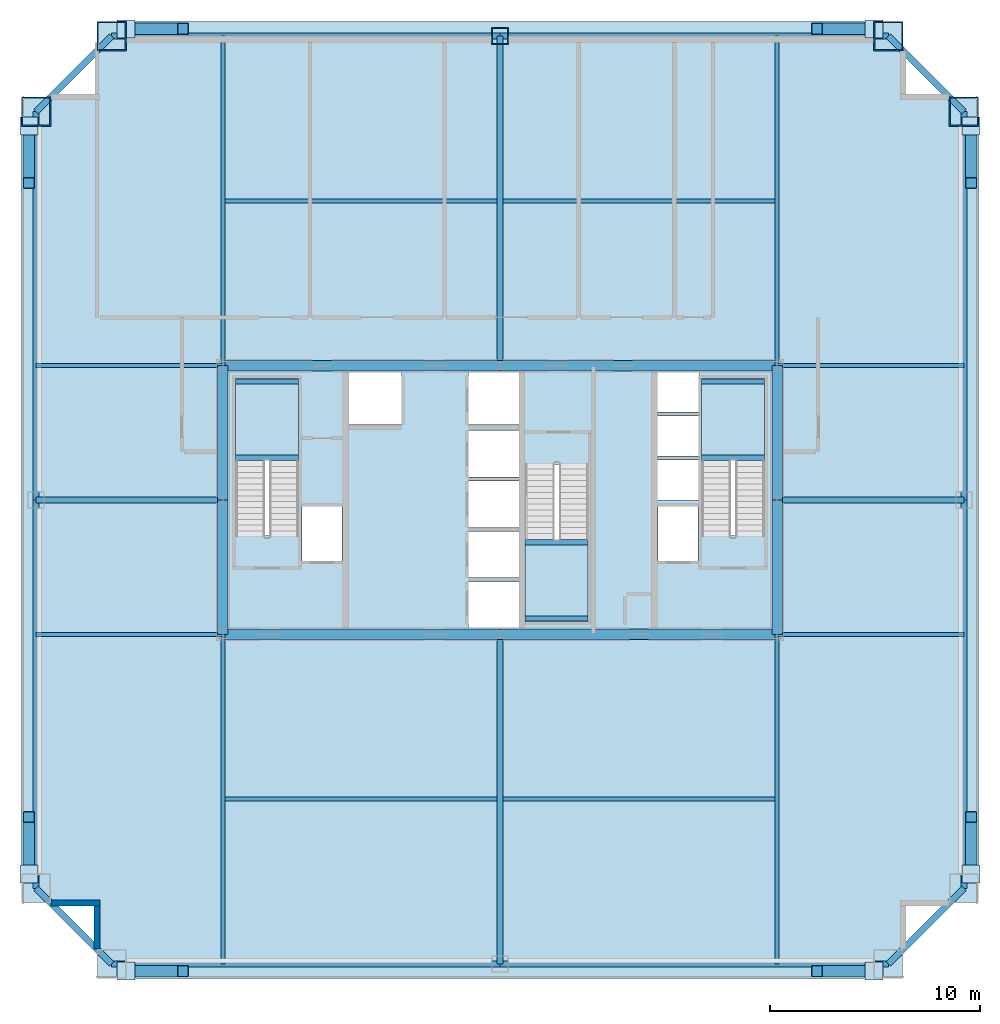
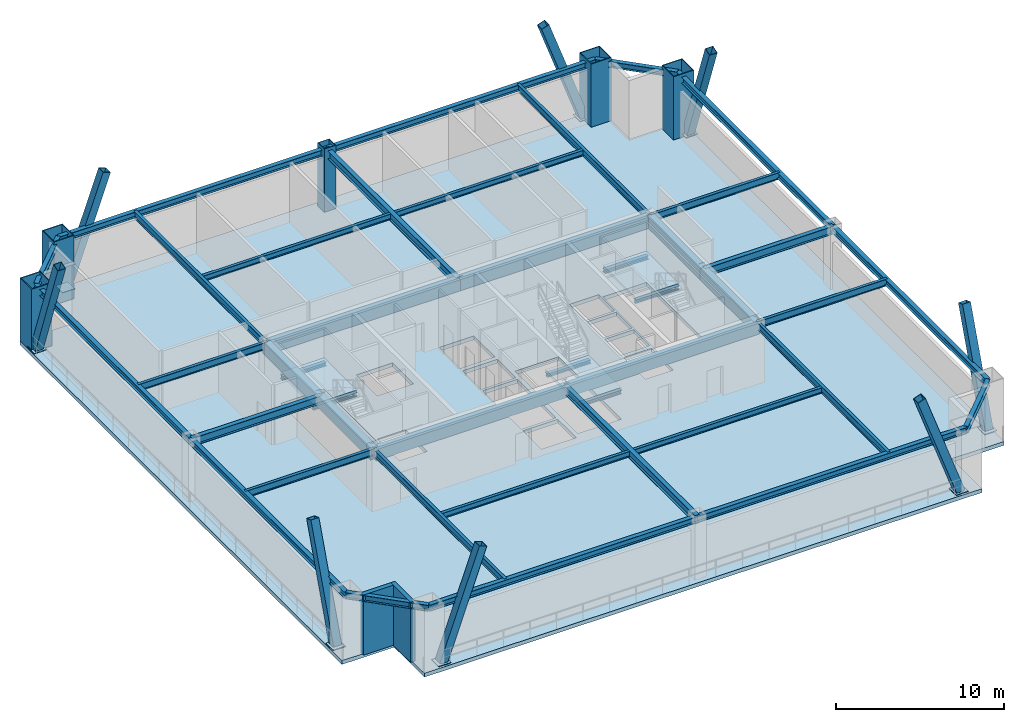
# One storey, part 3 of 9: 42 beams, 8 members, 8 plates, 5 columns, 4 slabs, 2 walls, 3 elements without a shape of their own.
"""IFC4 building model written with IfcOpenShell, lengths in metres."""

from ifc_helpers import new_model, si_unit, direction, frame, frame_2d, origin, origin_2d, place, context, subcontext, project, spatial, polyline, rectangle, hollow_rectangle, i_section, outline, extrude, source, transform, mapped, material, layer, layer_set, material_profile, profile_set, type_object, element, aggregate, save


model = new_model("IFC4")

# Units and contexts
model_context = context("Model", 3, precision=1e-05, world=origin(), true_north=direction((0.0, 1.0)))
body_context = subcontext(model_context, "Body", "Model", "MODEL_VIEW")
ifc_project = project(units=[si_unit("LENGTHUNIT", "METRE"), si_unit("AREAUNIT", "SQUARE_METRE"), si_unit("VOLUMEUNIT", "CUBIC_METRE"), si_unit("PLANEANGLEUNIT", "RADIAN"), si_unit("MASSUNIT", "GRAM", prefix="KILO"), si_unit("THERMODYNAMICTEMPERATUREUNIT", "KELVIN"), si_unit("POWERUNIT", "WATT")], contexts=[model_context])

# Site, building, storey
site_placement = place(None, origin())
site = spatial("IfcSite", under=ifc_project, at=site_placement, CompositionType="ELEMENT")
building_placement = place(site_placement, origin())
building = spatial("IfcBuilding", under=site, at=building_placement, Name="Yuzanri Waterfront Tower", CompositionType="ELEMENT")
storey_placement = place(building_placement, frame((0.0, 0.0, 176.39990234375)))
storey = spatial("IfcBuildingStorey", under=building, at=storey_placement, Name="L46", CompositionType="ELEMENT", Elevation=176.39990234375)

# Columns
ifc_material_1 = material(Name="Steel Q420GJC", Category="steel")
ifc_material_profile_1 = material_profile(ifc_material_1, hollow_rectangle(XDim=1.39990234375, YDim=1.39990234375, WallThickness=0.06005859375, at=origin_2d()), Name="RHS 1400x1400x60")
ifc_profile_set_1 = profile_set([ifc_material_profile_1], Name="Steel Q420GJC")
column_type_1 = type_object("IfcColumnType", Name="Mega Column Q420GJC RHS 1400x1400x60", PredefinedType="COLUMN", material=ifc_profile_set_1)
shared_shape_1 = source(origin(), body_context, "Body", "SweptSolid", [
    extrude(hollow_rectangle(XDim=1.39990234375, YDim=1.39990234375, WallThickness=0.06005859375, at=origin_2d()), origin(), (0.0, 0.0, 1.0), 4.60009765625),
])
for number, where, z_axis, x_axis, name in (
    (1, (18.5, 47.89990234375, 0.0), (0.0, 0.0, 1.0), (1.0, 0.0, 0.0), "L46 Perimeter Mega Column N1"),
    (2, (55.5, 47.89990234375, 0.0), (0.0, 0.0, 1.0), (1.0, 0.0, 0.0), "L46 Perimeter Mega Column N3"),
    (3, (14.89990234375, 44.300048828125, 0.0), (0.0, 0.0, 1.0), (1.0, 0.0, 0.0), "L46 Perimeter Mega Column W3"),
    (4, (59.10009765625, 44.300048828125, 0.0), (0.0, 0.0, 1.0), (1.0, 0.0, 0.0), "L46 Perimeter Mega Column E3"),
):
    element("IfcColumn", number, at=place(storey_placement, frame(where, z_axis=z_axis, x_axis=x_axis)), inside=storey, type_object=column_type_1, Name=name, PredefinedType="COLUMN", context=body_context, shape_type="MappedRepresentation", body=[
        mapped(shared_shape_1, transform((0.0, 0.0, 0.0), scale=1.0)),
    ])
ifc_material_2 = material(Name="Steel Q390GJC", Category="steel")
ifc_material_profile_2 = material_profile(ifc_material_2, hollow_rectangle(XDim=0.800048828125, YDim=0.800048828125, WallThickness=0.035888671875, at=origin_2d()), Name="RHS 800x800x36")
ifc_profile_set_2 = profile_set([ifc_material_profile_2], Name="Steel Q390GJC")
column_type_2 = type_object("IfcColumnType", Name="Frame Column Q390GJC RHS 800x800x36", PredefinedType="COLUMN", material=ifc_profile_set_2)
shared_shape_2 = source(origin(), body_context, "Body", "SweptSolid", [
    extrude(hollow_rectangle(XDim=0.800048828125, YDim=0.800048828125, WallThickness=0.035888671875, at=origin_2d()), origin(), (0.0, 0.0, 1.0), 4.60009765625),
])
column_placement = place(storey_placement, frame((37.0, 47.89990234375, 0.0), z_axis=(0.0, 0.0, 1.0), x_axis=(1.0, 0.0, 0.0)))
element("IfcColumn", 5, at=column_placement, inside=storey, type_object=column_type_2, Name="L46 Perimeter Frame Column N2", PredefinedType="COLUMN", context=body_context, shape_type="MappedRepresentation", body=[
    mapped(shared_shape_2, transform((0.0, 0.0, 0.0), scale=1.0)),
])

# Beams
ifc_material_3 = material(Name="Steel Q355B", Category="steel")
ifc_material_profile_3 = material_profile(ifc_material_3, i_section(OverallWidth=0.199951171875, OverallDepth=0.39990234375, WebThickness=0.008056640625, FlangeThickness=0.012939453125, at=origin_2d()), Name="HN 400x200x8x13")
ifc_profile_set_3 = profile_set([ifc_material_profile_3], Name="Steel Q355B")
beam_type_1 = type_object("IfcBeamType", Name="Floor Joist Q355B HN 400x200", PredefinedType="JOIST", material=ifc_profile_set_3)
shared_shape_3 = source(origin(), body_context, "Body", "SweptSolid", [
    extrude(i_section(OverallWidth=0.199951171875, OverallDepth=0.39990234375, WebThickness=0.008056640625, FlangeThickness=0.012939453125, at=origin_2d()), origin(), (0.0, 0.0, 1.0), 12.9501953125),
])
for number, where, z_axis, x_axis, name in (
    (6, (23.89990234375, 11.550048828125, 4.18017578125), (1.0, 0.0, 0.0), (0.0, 1.0, 0.0), "L46 South Bay Joist W"),
    (7, (37.14990234375, 11.550048828125, 4.18017578125), (1.0, 0.0, 0.0), (0.0, 1.0, 0.0), "L46 South Bay Joist E"),
    (8, (23.89990234375, 40.050048828125, 4.18017578125), (1.0, 0.0, 0.0), (0.0, 1.0, 0.0), "L46 North Bay Joist W"),
    (9, (37.14990234375, 40.050048828125, 4.18017578125), (1.0, 0.0, 0.0), (0.0, 1.0, 0.0), "L46 North Bay Joist E"),
):
    element("IfcBeam", number, at=place(storey_placement, frame(where, z_axis=z_axis, x_axis=x_axis)), inside=storey, type_object=beam_type_1, Name=name, PredefinedType="JOIST", context=body_context, shape_type="MappedRepresentation", body=[
        mapped(shared_shape_3, transform((0.0, 0.0, 0.0), scale=1.0)),
    ])
ifc_material_4 = material(Name="Steel Q355B", Category="steel")
ifc_material_profile_4 = material_profile(ifc_material_4, i_section(OverallWidth=0.300048828125, OverallDepth=0.43994140625, WebThickness=0.010986328125, FlangeThickness=0.01806640625, at=origin_2d()), Name="HM 440x300x11x18")
ifc_profile_set_4 = profile_set([ifc_material_profile_4], Name="Steel Q355B")
beam_type_2 = type_object("IfcBeamType", Name="Perimeter Spandrel Q355B HM 440x300", PredefinedType="SPANDREL", material=ifc_profile_set_4)
shared_shape_4 = source(origin(), body_context, "Body", "SweptSolid", [
    extrude(i_section(OverallWidth=0.300048828125, OverallDepth=0.43994140625, WebThickness=0.010986328125, FlangeThickness=0.01806640625, at=origin_2d()), origin(), (0.0, 0.0, 1.0), 18.5),
])
for number, where, z_axis, x_axis, name in (
    (10, (18.5, 3.699951171875, 4.16015625), (1.0, 0.0, 0.0), (0.0, 1.0, 0.0), "L46 Perimeter Spandrel S1-S2"),
    (11, (37.0, 3.699951171875, 4.16015625), (1.0, 0.0, 0.0), (0.0, 1.0, 0.0), "L46 Perimeter Spandrel S2-S3"),
    (12, (59.10009765625, 7.300048828125, 4.16015625), (0.0, 1.0, 0.0), (-1.0, 0.0, 0.0), "L46 Perimeter Spandrel E1-E2"),
    (13, (59.10009765625, 25.800048828125, 4.16015625), (0.0, 1.0, 0.0), (-1.0, 0.0, 0.0), "L46 Perimeter Spandrel E2-E3"),
    (14, (55.5, 47.89990234375, 4.16015625), (-1.0, 0.0, 0.0), (0.0, -1.0, 0.0), "L46 Perimeter Spandrel N3-N2"),
    (15, (37.0, 47.89990234375, 4.16015625), (-1.0, 0.0, 0.0), (0.0, -1.0, 0.0), "L46 Perimeter Spandrel N2-N1"),
    (16, (14.89990234375, 44.300048828125, 4.16015625), (0.0, -1.0, 0.0), (1.0, 0.0, 0.0), "L46 Perimeter Spandrel W3-W2"),
    (17, (14.89990234375, 25.800048828125, 4.16015625), (0.0, -1.0, 0.0), (1.0, 0.0, 0.0), "L46 Perimeter Spandrel W2-W1"),
):
    element("IfcBeam", number, at=place(storey_placement, frame(where, z_axis=z_axis, x_axis=x_axis)), inside=storey, type_object=beam_type_2, Name=name, PredefinedType="SPANDREL", context=body_context, shape_type="MappedRepresentation", body=[
        mapped(shared_shape_4, transform((0.0, 0.0, 0.0), scale=1.0)),
    ])
shared_shape_5 = source(origin(), body_context, "Body", "SweptSolid", [
    extrude(i_section(OverallWidth=0.300048828125, OverallDepth=0.43994140625, WebThickness=0.010986328125, FlangeThickness=0.01806640625, at=origin_2d()), origin(), (0.0, 0.0, 1.0), 5.09130859375),
])
for number, where, z_axis, x_axis, name in (
    (18, (55.5, 3.699951171875, 4.16015625), (0.707106781187, 0.707106781187, 0.0), (-0.707106781187, 0.707106781187, 0.0), "L46 Perimeter Spandrel S3-E1"),
    (19, (14.89990234375, 7.300048828125, 4.16015625), (0.707106781187, -0.707106781187, 0.0), (0.707106781187, 0.707106781187, 0.0), "L46 Perimeter Spandrel W1-S1"),
):
    element("IfcBeam", number, at=place(storey_placement, frame(where, z_axis=z_axis, x_axis=x_axis)), inside=storey, type_object=beam_type_2, Name=name, PredefinedType="SPANDREL", context=body_context, shape_type="MappedRepresentation", body=[
        mapped(shared_shape_5, transform((0.0, 0.0, 0.0), scale=1.0)),
    ])
shared_shape_6 = source(origin(), body_context, "Body", "SweptSolid", [
    extrude(i_section(OverallWidth=0.300048828125, OverallDepth=0.43994140625, WebThickness=0.010986328125, FlangeThickness=0.01806640625, at=origin_2d()), origin(), (0.0, 0.0, 1.0), 5.091064453125),
])
for number, where, z_axis, x_axis, name in (
    (20, (59.10009765625, 44.300048828125, 4.16015625), (-0.707130757816, 0.707082803744, 0.0), (-0.707082803744, -0.707130757816, 0.0), "L46 Perimeter Spandrel E3-N3"),
    (21, (18.5, 47.89990234375, 4.16015625), (-0.707130757816, -0.707082803744, 0.0), (0.707082803744, -0.707130757816, 0.0), "L46 Perimeter Spandrel N1-W3"),
):
    element("IfcBeam", number, at=place(storey_placement, frame(where, z_axis=z_axis, x_axis=x_axis)), inside=storey, type_object=beam_type_2, Name=name, PredefinedType="SPANDREL", context=body_context, shape_type="MappedRepresentation", body=[
        mapped(shared_shape_6, transform((0.0, 0.0, 0.0), scale=1.0)),
    ])
ifc_material_5 = material(Name="Steel Q355B", Category="steel")
ifc_material_profile_5 = material_profile(ifc_material_5, i_section(OverallWidth=0.300048828125, OverallDepth=0.587890625, WebThickness=0.011962890625, FlangeThickness=0.02001953125, at=origin_2d()), Name="HM 588x300x12x20")
ifc_profile_set_5 = profile_set([ifc_material_profile_5], Name="Steel Q355B")
beam_type_3 = type_object("IfcBeamType", Name="Primary Floor Girder Q355B HM 588x300", PredefinedType="BEAM", material=ifc_profile_set_5)
shared_shape_7 = source(origin(), body_context, "Body", "SweptSolid", [
    extrude(i_section(OverallWidth=0.300048828125, OverallDepth=0.587890625, WebThickness=0.011962890625, FlangeThickness=0.02001953125, at=origin_2d()), origin(), (0.0, 0.0, 1.0), 15.699951171875),
])
for number, where, z_axis, x_axis, name in (
    (22, (37.0, 19.39990234375, 4.086181640625), (0.0, -1.0, 0.0), (1.0, 0.0, 0.0), "L46 South Grid Girder"),
    (23, (37.0, 32.199951171875, 4.086181640625), (0.0, 1.0, 0.0), (-1.0, 0.0, 0.0), "L46 North Grid Girder"),
):
    element("IfcBeam", number, at=place(storey_placement, frame(where, z_axis=z_axis, x_axis=x_axis)), inside=storey, type_object=beam_type_3, Name=name, PredefinedType="BEAM", context=body_context, shape_type="MappedRepresentation", body=[
        mapped(shared_shape_7, transform((0.0, 0.0, 0.0), scale=1.0)),
    ])
shared_shape_8 = source(origin(), body_context, "Body", "SweptSolid", [
    extrude(i_section(OverallWidth=0.300048828125, OverallDepth=0.587890625, WebThickness=0.011962890625, FlangeThickness=0.02001953125, at=origin_2d()), origin(), (0.0, 0.0, 1.0), 8.900146484375),
])
for number, where, z_axis, x_axis, name in (
    (24, (23.800048828125, 25.800048828125, 4.086181640625), (-1.0, 0.0, 0.0), (0.0, -1.0, 0.0), "L46 West Grid Girder"),
    (25, (50.199951171875, 25.800048828125, 4.086181640625), (1.0, 0.0, 0.0), (0.0, 1.0, 0.0), "L46 East Grid Girder"),
):
    element("IfcBeam", number, at=place(storey_placement, frame(where, z_axis=z_axis, x_axis=x_axis)), inside=storey, type_object=beam_type_3, Name=name, PredefinedType="BEAM", context=body_context, shape_type="MappedRepresentation", body=[
        mapped(shared_shape_8, transform((0.0, 0.0, 0.0), scale=1.0)),
    ])
ifc_material_6 = material(Name="Steel Q355B", Category="steel")
ifc_material_profile_6 = material_profile(ifc_material_6, i_section(OverallWidth=0.199951171875, OverallDepth=0.5, WebThickness=0.010009765625, FlangeThickness=0.01611328125, at=origin_2d()), Name="HN 500x200x10x16")
ifc_profile_set_6 = profile_set([ifc_material_profile_6], Name="Steel Q355B")
beam_type_4 = type_object("IfcBeamType", Name="Secondary Floor Beam Q355B HN 500x200", PredefinedType="BEAM", material=ifc_profile_set_6)
shared_shape_9 = source(origin(), body_context, "Body", "SweptSolid", [
    extrude(i_section(OverallWidth=0.199951171875, OverallDepth=0.5, WebThickness=0.010009765625, FlangeThickness=0.01611328125, at=origin_2d()), origin(), (0.0, 0.0, 1.0), 15.699951171875),
])
for number, where, z_axis, x_axis, name in (
    (26, (23.800048828125, 19.39990234375, 4.130126953125), (0.0, -1.0, 0.0), (1.0, 0.0, 0.0), "L46 South-West Core Line Beam"),
    (27, (50.199951171875, 19.39990234375, 4.130126953125), (0.0, -1.0, 0.0), (1.0, 0.0, 0.0), "L46 South-East Core Line Beam"),
    (28, (23.800048828125, 32.199951171875, 4.130126953125), (0.0, 1.0, 0.0), (-1.0, 0.0, 0.0), "L46 North-West Core Line Beam"),
    (29, (50.199951171875, 32.199951171875, 4.130126953125), (0.0, 1.0, 0.0), (-1.0, 0.0, 0.0), "L46 North-East Core Line Beam"),
):
    element("IfcBeam", number, at=place(storey_placement, frame(where, z_axis=z_axis, x_axis=x_axis)), inside=storey, type_object=beam_type_4, Name=name, PredefinedType="BEAM", context=body_context, shape_type="MappedRepresentation", body=[
        mapped(shared_shape_9, transform((0.0, 0.0, 0.0), scale=1.0)),
    ])
shared_shape_10 = source(origin(), body_context, "Body", "SweptSolid", [
    extrude(i_section(OverallWidth=0.199951171875, OverallDepth=0.5, WebThickness=0.010009765625, FlangeThickness=0.01611328125, at=origin_2d()), origin(), (0.0, 0.0, 1.0), 8.900146484375),
])
for number, where, z_axis, x_axis, name in (
    (30, (23.800048828125, 19.39990234375, 4.130126953125), (-1.0, 0.0, 0.0), (0.0, -1.0, 0.0), "L46 West-South Core Line Beam"),
    (31, (23.800048828125, 32.199951171875, 4.130126953125), (-1.0, 0.0, 0.0), (0.0, -1.0, 0.0), "L46 West-North Core Line Beam"),
    (32, (50.199951171875, 19.39990234375, 4.130126953125), (1.0, 0.0, 0.0), (0.0, 1.0, 0.0), "L46 East-South Core Line Beam"),
    (33, (50.199951171875, 32.199951171875, 4.130126953125), (1.0, 0.0, 0.0), (0.0, 1.0, 0.0), "L46 East-North Core Line Beam"),
):
    element("IfcBeam", number, at=place(storey_placement, frame(where, z_axis=z_axis, x_axis=x_axis)), inside=storey, type_object=beam_type_4, Name=name, PredefinedType="BEAM", context=body_context, shape_type="MappedRepresentation", body=[
        mapped(shared_shape_10, transform((0.0, 0.0, 0.0), scale=1.0)),
    ])
ifc_material_7 = material(Name="Concrete C50", Category="concrete")
ifc_material_profile_7 = material_profile(ifc_material_7, rectangle(XDim=0.5, YDim=0.800048828125, at=origin_2d()), Name="RC 500x800")
ifc_profile_set_7 = profile_set([ifc_material_profile_7], Name="Concrete C50")
beam_type_5 = type_object("IfcBeamType", Name="Core Coupling Lintel Concrete C50 500x800", PredefinedType="LINTEL", material=ifc_profile_set_7)
shared_shape_11 = source(origin(), body_context, "Body", "SweptSolid", [
    extrude(rectangle(XDim=0.5, YDim=0.800048828125, at=origin_2d()), origin(), (0.0, 0.0, 1.0), 13.199951171875),
])
for number, where, z_axis, x_axis, name in (
    (34, (23.800048828125, 19.39990234375, 3.97998046875), (1.0, 0.0, 0.0), (0.0, 1.0, 0.0), "L46 Core Tie Beam CS1"),
    (35, (37.0, 19.39990234375, 3.97998046875), (1.0, 0.0, 0.0), (0.0, 1.0, 0.0), "L46 Core Tie Beam CS2"),
    (36, (23.800048828125, 32.199951171875, 3.97998046875), (1.0, 0.0, 0.0), (0.0, 1.0, 0.0), "L46 Core Tie Beam CN1"),
    (37, (37.0, 32.199951171875, 3.97998046875), (1.0, 0.0, 0.0), (0.0, 1.0, 0.0), "L46 Core Tie Beam CN2"),
):
    element("IfcBeam", number, at=place(storey_placement, frame(where, z_axis=z_axis, x_axis=x_axis)), inside=storey, type_object=beam_type_5, Name=name, PredefinedType="LINTEL", context=body_context, shape_type="MappedRepresentation", body=[
        mapped(shared_shape_11, transform((0.0, 0.0, 0.0), scale=1.0)),
    ])
shared_shape_12 = source(origin(), body_context, "Body", "SweptSolid", [
    extrude(rectangle(XDim=0.5, YDim=0.800048828125, at=origin_2d()), origin(), (0.0, 0.0, 1.0), 6.400146484375),
])
for number, where, z_axis, x_axis, name in (
    (38, (23.800048828125, 19.39990234375, 3.97998046875), (0.0, 1.0, 0.0), (-1.0, 0.0, 0.0), "L46 Core Tie Beam CW1"),
    (39, (50.199951171875, 19.39990234375, 3.97998046875), (0.0, 1.0, 0.0), (-1.0, 0.0, 0.0), "L46 Core Tie Beam CE1"),
):
    element("IfcBeam", number, at=place(storey_placement, frame(where, z_axis=z_axis, x_axis=x_axis)), inside=storey, type_object=beam_type_5, Name=name, PredefinedType="LINTEL", context=body_context, shape_type="MappedRepresentation", body=[
        mapped(shared_shape_12, transform((0.0, 0.0, 0.0), scale=1.0)),
    ])
shared_shape_13 = source(origin(), body_context, "Body", "SweptSolid", [
    extrude(rectangle(XDim=0.5, YDim=0.800048828125, at=origin_2d()), origin(), (0.0, 0.0, 1.0), 6.39990234375),
])
for number, where, z_axis, x_axis, name in (
    (40, (23.800048828125, 25.800048828125, 3.97998046875), (0.0, 1.0, 0.0), (-1.0, 0.0, 0.0), "L46 Core Tie Beam CW2"),
    (41, (50.199951171875, 25.800048828125, 3.97998046875), (0.0, 1.0, 0.0), (-1.0, 0.0, 0.0), "L46 Core Tie Beam CE2"),
):
    element("IfcBeam", number, at=place(storey_placement, frame(where, z_axis=z_axis, x_axis=x_axis)), inside=storey, type_object=beam_type_5, Name=name, PredefinedType="LINTEL", context=body_context, shape_type="MappedRepresentation", body=[
        mapped(shared_shape_13, transform((0.0, 0.0, 0.0), scale=1.0)),
    ])

# Members
ifc_material_8 = material(Name="Steel Q390GJC", Category="steel")
ifc_material_profile_8 = material_profile(ifc_material_8, hollow_rectangle(XDim=0.550048828125, YDim=0.550048828125, WallThickness=0.02490234375, at=origin_2d()), Name="RHS 550x550x25")
ifc_profile_set_8 = profile_set([ifc_material_profile_8], Name="Steel Q390GJC")
member_type = type_object("IfcMemberType", Name="Mega Brace Mid Q390GJC RHS 550x550x25", PredefinedType="BRACE", material=ifc_profile_set_8)
shared_shape_14 = source(origin(), body_context, "Body", "SweptSolid", [
    extrude(hollow_rectangle(XDim=0.550048828125, YDim=0.550048828125, WallThickness=0.02490234375, at=origin_2d()), origin(), (0.0, 0.0, 1.0), 8.072021484375),
])
for number, where, z_axis, x_axis, name in (
    (42, (19.179931640625, 3.360107421875, 0.18017578125), (0.336966690085, 0.0, 0.941516569038), (0.0, 1.0, 0.0), "L46-L47 Perimeter Mega-Brace S-L"),
    (43, (54.820068359375, 3.360107421875, 0.18017578125), (-0.336966690085, 0.0, 0.941516569038), (0.0, -1.0, 0.0), "L46-L47 Perimeter Mega-Brace S-R"),
    (44, (19.179931640625, 48.239990234375, 0.18017578125), (0.336966690085, 0.0, 0.941516569038), (0.0, 1.0, 0.0), "L46-L47 Perimeter Mega-Brace N-L"),
    (45, (54.820068359375, 48.239990234375, 0.18017578125), (-0.336966690085, 0.0, 0.941516569038), (0.0, -1.0, 0.0), "L46-L47 Perimeter Mega-Brace N-R"),
    (46, (14.56005859375, 7.97998046875, 0.18017578125), (0.0, 0.336966690085, 0.941516569038), (-1.0, 0.0, 0.0), "L46-L47 Perimeter Mega-Brace W-L"),
    (47, (14.56005859375, 43.6201171875, 0.18017578125), (0.0, -0.336993501028, 0.94150697303), (1.0, 0.0, 0.0), "L46-L47 Perimeter Mega-Brace W-R"),
    (48, (59.43994140625, 7.97998046875, 0.18017578125), (0.0, 0.336966690085, 0.941516569038), (-1.0, 0.0, 0.0), "L46-L47 Perimeter Mega-Brace E-L"),
    (49, (59.43994140625, 43.6201171875, 0.18017578125), (0.0, -0.336993501028, 0.94150697303), (1.0, 0.0, 0.0), "L46-L47 Perimeter Mega-Brace E-R"),
):
    element("IfcMember", number, at=place(storey_placement, frame(where, z_axis=z_axis, x_axis=x_axis)), inside=storey, type_object=member_type, Name=name, PredefinedType="BRACE", context=body_context, shape_type="MappedRepresentation", body=[
        mapped(shared_shape_14, transform((0.0, 0.0, 0.0), scale=1.0)),
    ])

# Beams
ifc_material_9 = material(Name="Steel Q355B", Category="steel")
ifc_material_profile_9 = material_profile(ifc_material_9, i_section(OverallWidth=0.25, OverallDepth=0.25, WebThickness=0.009033203125, FlangeThickness=0.013916015625, at=origin_2d()), Name="HW 250x250x9x14")
ifc_profile_set_9 = profile_set([ifc_material_profile_9], Name="Steel Q355B")
beam_type_6 = type_object("IfcBeamType", Name="Stair Landing Support Beam Q355B HW 250x250", PredefinedType="BEAM", material=ifc_profile_set_9)
shared_shape_15 = source(origin(), body_context, "Body", "SweptSolid", [
    extrude(i_section(OverallWidth=0.25, OverallDepth=0.25, WebThickness=0.009033203125, FlangeThickness=0.013916015625, at=origin_2d()), origin(), (0.0, 0.0, 1.0), 3.0),
])
for number, where, z_axis, x_axis, name in (
    (50, (24.39990234375, 27.81005859375, 1.97509765625), (1.0, 0.0, 0.0), (0.0, 1.0, 0.0), "L46 Stair Landing Support Beam ST-01-L46-L1-1"),
    (51, (24.39990234375, 31.449951171875, 1.97509765625), (1.0, 0.0, 0.0), (0.0, 1.0, 0.0), "L46 Stair Landing Support Beam ST-01-L46-L1-2"),
    (52, (46.60009765625, 27.81005859375, 1.97509765625), (1.0, 0.0, 0.0), (0.0, 1.0, 0.0), "L46 Stair Landing Support Beam ST-02-L46-L1-1"),
    (53, (46.60009765625, 31.449951171875, 1.97509765625), (1.0, 0.0, 0.0), (0.0, 1.0, 0.0), "L46 Stair Landing Support Beam ST-02-L46-L1-2"),
    (54, (38.199951171875, 20.14990234375, 1.97509765625), (1.0, 0.0, 0.0), (0.0, 1.0, 0.0), "L46 Stair Landing Support Beam ST-03-L46-L1-1"),
    (55, (38.199951171875, 23.7900390625, 1.97509765625), (1.0, 0.0, 0.0), (0.0, 1.0, 0.0), "L46 Stair Landing Support Beam ST-03-L46-L1-2"),
):
    element("IfcBeam", number, at=place(storey_placement, frame(where, z_axis=z_axis, x_axis=x_axis)), inside=storey, type_object=beam_type_6, Name=name, PredefinedType="BEAM", context=body_context, shape_type="MappedRepresentation", body=[
        mapped(shared_shape_15, transform((0.0, 0.0, 0.0), scale=1.0)),
    ])

# Stair, slab
ifc_material_10 = material(Name="Concrete C40", Category="concrete")
stair_type = type_object("IfcStairType", Name="Concrete C40 Core Dogleg Exit Stair", PredefinedType="HALF_TURN_STAIR", material=ifc_material_10)
stair_1_placement = place(storey_placement, origin())
stair_1 = element("IfcStair", 56, at=stair_1_placement, inside=storey, type_object=stair_type, Name="L46 Smoke-Proof Core Stair ST-01", PredefinedType="HALF_TURN_STAIR")
ifc_material_11 = material(Name="Concrete C40", Category="concrete")
ifc_layer_1 = layer(ifc_material_11, 0.179931640625)
ifc_layer_set_1 = layer_set([ifc_layer_1], Name="Concrete C40")
slab_type_1 = type_object("IfcSlabType", Name="Concrete C40 Stair Half-Landing Slab 180", PredefinedType="LANDING", material=ifc_layer_set_1)
slab_1_placement = place(storey_placement, frame((0.0, 0.0, 2.10009765625)))
slab_1 = element("IfcSlab", 57, at=slab_1_placement, type_object=slab_type_1, Name="ST-01 landing 1", PredefinedType="LANDING", context=body_context, shape_type="SweptSolid", body=[
    extrude(outline(polyline([(27.39990234375, 27.679931640625), (27.39990234375, 31.580078125), (24.39990234375, 31.580078125), (24.39990234375, 27.679931640625), (27.39990234375, 27.679931640625)])), origin(), (0.0, 0.0, 1.0), 0.199951171875),
])
aggregate(stair_1, [slab_1])

stair_2_placement = place(storey_placement, origin())
stair_2 = element("IfcStair", 58, at=stair_2_placement, inside=storey, type_object=stair_type, Name="L46 Smoke-Proof Core Stair ST-02", PredefinedType="HALF_TURN_STAIR")
slab_2_placement = place(storey_placement, frame((0.0, 0.0, 2.10009765625)))
slab_2 = element("IfcSlab", 59, at=slab_2_placement, type_object=slab_type_1, Name="ST-02 landing 1", PredefinedType="LANDING", context=body_context, shape_type="SweptSolid", body=[
    extrude(outline(polyline([(49.60009765625, 27.679931640625), (49.60009765625, 31.580078125), (46.60009765625, 31.580078125), (46.60009765625, 27.679931640625), (49.60009765625, 27.679931640625)])), origin(), (0.0, 0.0, 1.0), 0.199951171875),
])
aggregate(stair_2, [slab_2])

stair_3_placement = place(storey_placement, origin())
stair_3 = element("IfcStair", 60, at=stair_3_placement, inside=storey, type_object=stair_type, Name="L46 Smoke-Proof Core Stair ST-03", PredefinedType="HALF_TURN_STAIR")
slab_3_placement = place(storey_placement, frame((0.0, 0.0, 2.10009765625)))
slab_3 = element("IfcSlab", 61, at=slab_3_placement, type_object=slab_type_1, Name="ST-03 landing 1", PredefinedType="LANDING", context=body_context, shape_type="SweptSolid", body=[
    extrude(outline(polyline([(38.199951171875, 23.919921875), (38.199951171875, 20.02001953125), (41.199951171875, 20.02001953125), (41.199951171875, 23.919921875), (38.199951171875, 23.919921875)])), origin(), (0.0, 0.0, 1.0), 0.199951171875),
])
aggregate(stair_3, [slab_3])

# Slab
ifc_material_12 = material(Name="Concrete C45", Category="concrete")
ifc_layer_2 = layer(ifc_material_12, 0.280029296875)
ifc_layer_set_2 = layer_set([ifc_layer_2], Name="Concrete C45")
slab_type_2 = type_object("IfcSlabType", Name="Concrete C45 Podium and Refuge Structural Floor Slab 280", PredefinedType="FLOOR", material=ifc_layer_set_2)
slab_4_placement = place(storey_placement, frame((0.0, 0.0, -0.27978515625)))
element("IfcSlab", 62, at=slab_4_placement, inside=storey, type_object=slab_type_2, Name="L46 Main Structural Floor Slab", PredefinedType="FLOOR", context=body_context, shape_type="SweptSolid", body=[
    extrude(outline(polyline([(17.800048828125, 3.0), (56.199951171875, 3.0), (56.199951171875, 6.60009765625), (59.800048828125, 6.60009765625), (59.800048828125, 45.0), (56.199951171875, 45.0), (56.199951171875, 48.60009765625), (17.800048828125, 48.60009765625), (17.800048828125, 45.0), (14.199951171875, 45.0), (14.199951171875, 6.60009765625), (17.800048828125, 6.60009765625), (17.800048828125, 3.0)]), holes=[polyline([(27.39990234375, 24.10009765625), (27.39990234375, 31.580078125), (24.39990234375, 31.580078125), (24.39990234375, 24.10009765625), (27.39990234375, 24.10009765625)]), polyline([(49.60009765625, 24.10009765625), (49.60009765625, 31.580078125), (46.60009765625, 31.580078125), (46.60009765625, 24.10009765625), (49.60009765625, 24.10009765625)]), polyline([(38.199951171875, 27.5), (38.199951171875, 20.02001953125), (41.199951171875, 20.02001953125), (41.199951171875, 27.5), (38.199951171875, 27.5)]), polyline([(27.56005859375, 22.89990234375), (29.47998046875, 22.89990234375), (29.47998046875, 25.5), (27.56005859375, 25.5), (27.56005859375, 22.89990234375)]), polyline([(44.52001953125, 22.89990234375), (46.43994140625, 22.89990234375), (46.43994140625, 25.5), (44.52001953125, 25.5), (44.52001953125, 22.89990234375)]), polyline([(29.800048828125, 29.39990234375), (32.300048828125, 29.39990234375), (32.300048828125, 31.89990234375), (29.800048828125, 31.89990234375), (29.800048828125, 29.39990234375)]), polyline([(35.5, 19.699951171875), (37.89990234375, 19.699951171875), (37.89990234375, 21.89990234375), (35.5, 21.89990234375), (35.5, 19.699951171875)]), polyline([(35.5, 22.10009765625), (37.89990234375, 22.10009765625), (37.89990234375, 24.300048828125), (35.5, 24.300048828125), (35.5, 22.10009765625)]), polyline([(35.5, 24.5), (37.89990234375, 24.5), (37.89990234375, 26.699951171875), (35.5, 26.699951171875), (35.5, 24.5)]), polyline([(35.5, 26.89990234375), (37.89990234375, 26.89990234375), (37.89990234375, 29.10009765625), (35.5, 29.10009765625), (35.5, 26.89990234375)]), polyline([(35.5, 29.39990234375), (37.89990234375, 29.39990234375), (37.89990234375, 31.89990234375), (35.5, 31.89990234375), (35.5, 29.39990234375)]), polyline([(44.5, 25.800048828125), (46.5, 25.800048828125), (46.5, 27.699951171875), (44.5, 27.699951171875), (44.5, 25.800048828125)]), polyline([(44.5, 27.89990234375), (46.5, 27.89990234375), (46.5, 29.800048828125), (44.5, 29.800048828125), (44.5, 27.89990234375)]), polyline([(44.5, 30.0), (46.5, 30.0), (46.5, 31.89990234375), (44.5, 31.89990234375), (44.5, 30.0)])]), origin(), (0.0, 0.0, 1.0), 0.27978515625),
])

# Plates
ifc_material_13 = material(Name="Steel Q420GJC", Category="steel")
ifc_layer_3 = layer(ifc_material_13, 0.0400390625)
ifc_layer_set_3 = layer_set([ifc_layer_3], Name="Steel Q420GJC")
plate_type = type_object("IfcPlateType", Name="Steel Q420GJC Mega-Brace Gusset and End-Cap Plate 40", PredefinedType="SHEET", material=ifc_layer_set_3)
shared_shape_16 = source(origin(), body_context, "Body", "SweptSolid", [
    extrude(rectangle(XDim=0.85009765625, YDim=0.85009765625, at=origin_2d()), origin(), (0.0, 0.0, 1.0), 0.0400390625),
])
for number, where, z_axis, x_axis, name in (
    (63, (19.179931640625, 3.360107421875, 0.16015625), (0.0, 0.0, 1.0), (1.0, 0.0, 0.0), "L46 Mega-Brace Foot Cap Plate S-L"),
    (64, (54.820068359375, 3.360107421875, 0.16015625), (0.0, 0.0, 1.0), (1.0, 0.0, 0.0), "L46 Mega-Brace Foot Cap Plate S-R"),
    (65, (19.179931640625, 48.239990234375, 0.16015625), (0.0, 0.0, 1.0), (1.0, 0.0, 0.0), "L46 Mega-Brace Foot Cap Plate N-L"),
    (66, (54.820068359375, 48.239990234375, 0.16015625), (0.0, 0.0, 1.0), (1.0, 0.0, 0.0), "L46 Mega-Brace Foot Cap Plate N-R"),
    (67, (14.56005859375, 7.97998046875, 0.16015625), (0.0, 0.0, 1.0), (1.0, 0.0, 0.0), "L46 Mega-Brace Foot Cap Plate W-L"),
    (68, (14.56005859375, 43.6201171875, 0.16015625), (0.0, 0.0, 1.0), (1.0, 0.0, 0.0), "L46 Mega-Brace Foot Cap Plate W-R"),
    (69, (59.43994140625, 7.97998046875, 0.16015625), (0.0, 0.0, 1.0), (1.0, 0.0, 0.0), "L46 Mega-Brace Foot Cap Plate E-L"),
    (70, (59.43994140625, 43.6201171875, 0.16015625), (0.0, 0.0, 1.0), (1.0, 0.0, 0.0), "L46 Mega-Brace Foot Cap Plate E-R"),
):
    element("IfcPlate", number, at=place(storey_placement, frame(where, z_axis=z_axis, x_axis=x_axis)), inside=storey, type_object=plate_type, Name=name, PredefinedType="SHEET", context=body_context, shape_type="MappedRepresentation", body=[
        mapped(shared_shape_16, transform((0.0, 0.0, 0.0), scale=1.0)),
    ])

# Walls
ifc_material_14 = material(Name="Honed Chongqing Dark Basalt Stone", Category="masonry")
ifc_layer_4 = layer(ifc_material_14, 0.300048828125)
ifc_layer_set_4 = layer_set([ifc_layer_4], Name="Honed Chongqing Dark Basalt Stone")
wall_type = type_object("IfcWallType", Name="Bronze Rainscreen Insulated Spandrel Portal Wall 300", PredefinedType="SOLIDWALL", material=ifc_layer_set_4)
shared_shape_17 = source(origin(), body_context, "Body", "SweptSolid", [
    extrude(rectangle(XDim=2.349853515625, YDim=0.300048828125, at=frame_2d((1.1748046875, 0.0))), origin(), (0.0, 0.0, 1.0), 4.380126953125),
])
wall_1_placement = place(storey_placement, frame((15.60009765625, 6.60009765625, 0.0), z_axis=(0.0, 0.0, 1.0), x_axis=(1.0, 0.0, 0.0)))
element("IfcWall", 71, at=wall_1_placement, inside=storey, type_object=wall_type, Name="L46 Notched Corner Masonry Wall SW-X", PredefinedType="SOLIDWALL", context=body_context, shape_type="MappedRepresentation", body=[
    mapped(shared_shape_17, transform((0.0, 0.0, 0.0), scale=1.0)),
])
shared_shape_18 = source(origin(), body_context, "Body", "SweptSolid", [
    extrude(rectangle(XDim=2.35009765625, YDim=0.300048828125, at=frame_2d((1.175048828125, 0.0))), origin(), (0.0, 0.0, 1.0), 4.380126953125),
])
wall_2_placement = place(storey_placement, frame((17.800048828125, 6.75, 0.0), z_axis=(0.0, 0.0, 1.0), x_axis=(0.0, -1.0, 0.0)))
element("IfcWall", 72, at=wall_2_placement, inside=storey, type_object=wall_type, Name="L46 Notched Corner Masonry Wall SW-Y", PredefinedType="SOLIDWALL", context=body_context, shape_type="MappedRepresentation", body=[
    mapped(shared_shape_18, transform((0.0, 0.0, 0.0), scale=1.0)),
])

save(model, "model.ifc")
